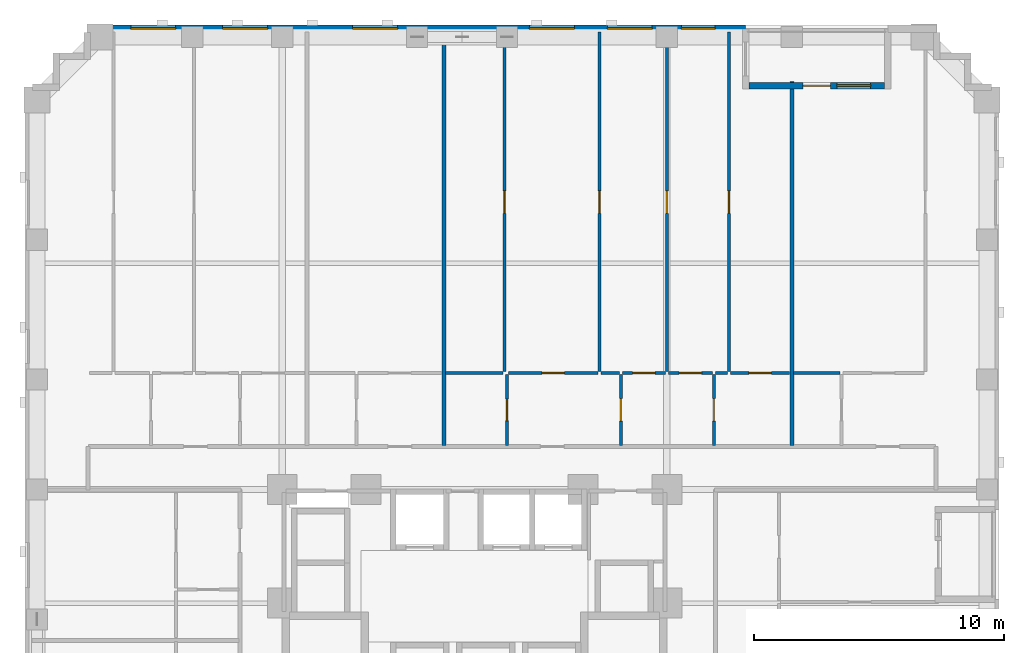
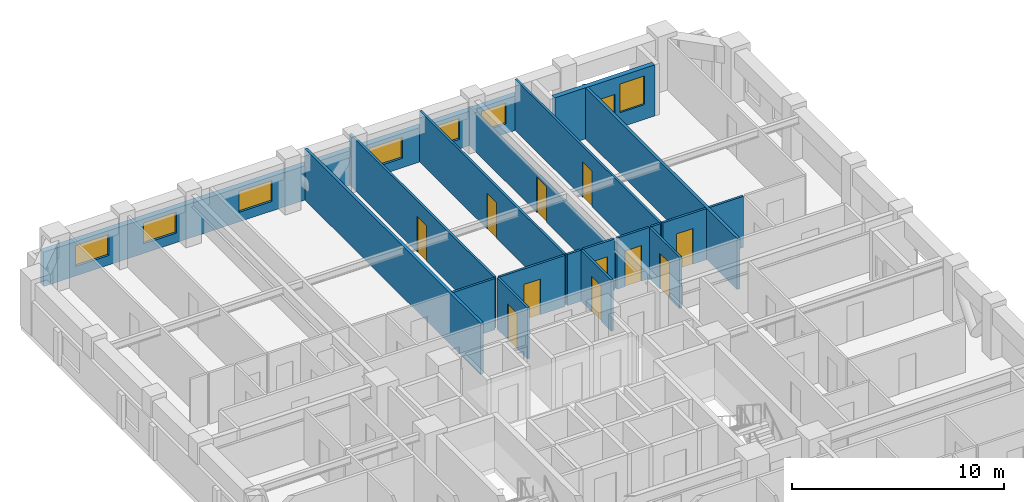
# One storey, part 8 of 14: 19 walls, 12 doors, 7 windows, 19 openings.
"""IFC4 building model written with IfcOpenShell, lengths in metres."""

from ifc_helpers import new_model, si_unit, derived_unit, direction, frame, frame_2d, origin, place, context, subcontext, project, spatial, rectangle, extrude, material, layer, layer_set, type_object, element, fill, save


model = new_model("IFC4")

# Units and contexts
model_context = context("Model", 3, precision=1e-05, world=origin(), true_north=direction((0.0, 1.0)))
body_context = subcontext(model_context, "Body", "Model", "MODEL_VIEW")
ifc_project = project(units=[si_unit("LENGTHUNIT", "METRE"), si_unit("AREAUNIT", "SQUARE_METRE"), si_unit("VOLUMEUNIT", "CUBIC_METRE"), si_unit("PLANEANGLEUNIT", "RADIAN"), si_unit("MASSUNIT", "GRAM", prefix="KILO"), derived_unit("THERMALTRANSMITTANCEUNIT", [(si_unit("MASSUNIT", "GRAM", prefix="KILO"), 1), (si_unit("TIMEUNIT", "SECOND"), -3), (si_unit("THERMODYNAMICTEMPERATUREUNIT", "KELVIN"), -1)])], contexts=[model_context])

# Site, building, storey
site_placement = place(None, origin())
site = spatial("IfcSite", under=ifc_project, at=site_placement, CompositionType="ELEMENT")
building_placement = place(site_placement, origin())
building = spatial("IfcBuilding", under=site, at=building_placement, Name="Korrvale Station Residences", CompositionType="ELEMENT")
storey_placement = place(building_placement, frame((0.0, 0.0, 64.199951171875)))
storey = spatial("IfcBuildingStorey", under=building, at=storey_placement, Name="L17", CompositionType="ELEMENT", Elevation=64.199951171875)

# Wall, openings, door, window
ifc_material_1 = material(Name="Precast concrete C45/55", Category="concrete")
ifc_layer_1 = layer(ifc_material_1, 0.260009765625, Name="Precast concrete C45/55")
ifc_layer_set_1 = layer_set([ifc_layer_1], Name="Precast concrete C45/55")
wall_type_1 = type_object("IfcWallType", Name="WAL-EXT-LOG260", PredefinedType="SOLIDWALL", material=ifc_layer_set_1)
wall_1_placement = place(storey_placement, frame((36.48388671875, 45.169921875, 0.0), z_axis=(0.0, 0.0, 1.0), x_axis=(1.0, 0.0, 0.0)))
wall_1 = element("IfcWall", 1, at=wall_1_placement, inside=storey, type_object=wall_type_1, Name="L17 Recessed Loggia Wall BAL-L17-N1-B", PredefinedType="SOLIDWALL", context=body_context, shape_type="SweptSolid", body=[
    extrude(rectangle(XDim=5.43212890625, YDim=0.260009765625, at=frame_2d((2.716064453125, 0.0))), origin(), (0.0, 0.0, 1.0), 2.93994140625),
])
opening_1_placement = place(wall_1_placement, frame((2.166015625, 0.0, 0.0)))
opening_1 = element("IfcOpeningElement", 2, at=opening_1_placement, cuts=wall_1, Name="Opening BD-01", PredefinedType="OPENING", context=body_context, shape_type="SweptSolid", body=[
    extrude(rectangle(XDim=1.10009765625, YDim=2.0, at=frame_2d((0.550048828125, 1.0))), frame((0.0, 0.14013671875, 0.0), z_axis=(0.0, -1.0, 0.0), x_axis=(1.0, 0.0, 0.0)), (0.0, 0.0, 1.0), 0.280029296875),
])
opening_2_placement = place(wall_1_placement, frame((3.52587890625, 0.0, 0.85009765625)))
opening_2 = element("IfcOpeningElement", 3, at=opening_2_placement, cuts=wall_1, Name="Opening W-06", PredefinedType="OPENING", context=body_context, shape_type="SweptSolid", body=[
    extrude(rectangle(XDim=1.35009765625, YDim=1.64990234375, at=frame_2d((0.675048828125, 0.824951171875))), frame((0.0, 0.14013671875, 0.0), z_axis=(0.0, -1.0, 0.0), x_axis=(1.0, 0.0, 0.0)), (0.0, 0.0, 1.0), 0.280029296875),
])
ifc_material_2 = material(Name="Exterior thermally broken aluminium glazed balcony door", Category="aluminium")
door_type_1 = type_object("IfcDoorType", Name="DR-EXT-BAL", OperationType="NOTDEFINED", PredefinedType="DOOR", material=ifc_material_2)
door_1_placement = place(opening_1_placement, origin())
door_1 = element("IfcDoor", 4, at=door_1_placement, inside=storey, type_object=door_type_1, Name="L17 Loggia Balcony Door BAL-L17-N1", OperationType="SINGLE_SWING_RIGHT", OverallHeight=2.0, OverallWidth=1.10009765625, PredefinedType="DOOR", context=body_context, shape_type="SweptSolid", body=[
    extrude(rectangle(XDim=1.10009765625, YDim=2.0, at=frame_2d((0.550048828125, 1.0))), frame((0.0, 0.02490234375, 0.0), z_axis=(0.0, -1.0, 0.0), x_axis=(1.0, 0.0, 0.0)), (0.0, 0.0, 1.0), 0.050048828125),
])
fill(opening_1, door_1)
ifc_material_3 = material(Name="Thermally broken aluminium frame with triple low-e glazing", Category="aluminium")
window_type_1 = type_object("IfcWindowType", Name="WIN-W06", PartitioningType="SINGLE_PANEL", PredefinedType="WINDOW", material=ifc_material_3)
window_1_placement = place(opening_2_placement, origin())
window_1 = element("IfcWindow", 5, at=window_1_placement, inside=storey, type_object=window_type_1, Name="L17 Punched Window 22", OverallHeight=1.64990234375, OverallWidth=1.35009765625, PartitioningType="SINGLE_PANEL", PredefinedType="WINDOW", context=body_context, shape_type="SweptSolid", body=[
    extrude(rectangle(XDim=1.35009765625, YDim=1.64990234375, at=frame_2d((0.675048828125, 0.824951171875))), frame((0.0, 0.030029296875, 0.0), z_axis=(0.0, -1.0, 0.0), x_axis=(1.0, 0.0, 0.0)), (0.0, 0.0, 1.0), 0.06005859375),
])
fill(opening_2, window_1)

# Wall, openings, windows
ifc_layer_2 = layer(ifc_material_1, 0.300048828125, Name="Precast concrete C45/55")
ifc_layer_set_2 = layer_set([ifc_layer_2], Name="Precast concrete C45/55")
wall_type_2 = type_object("IfcWallType", Name="WAL-EXT-PC300", PredefinedType="SOLIDWALL", material=ifc_layer_set_2)
wall_2_placement = place(storey_placement, frame((10.0, 47.449951171875, 0.0), z_axis=(0.0, 0.0, 1.0), x_axis=(1.0, 0.0, 0.0)))
wall_2 = element("IfcWall", 6, at=wall_2_placement, inside=storey, type_object=wall_type_2, Name="L17 North Exterior Precast Wall 1", PredefinedType="SOLIDWALL", context=body_context, shape_type="SweptSolid", body=[
    extrude(rectangle(XDim=26.35009765625, YDim=0.300048828125, at=frame_2d((13.175048828125, 0.0))), origin(), (0.0, 0.0, 1.0), 1.97509765625),
])
opening_3_placement = place(wall_2_placement, frame((1.735107421875, 0.0, 0.550048828125)))
opening_3 = element("IfcOpeningElement", 7, at=opening_3_placement, cuts=wall_2, Name="Opening W-09", PredefinedType="OPENING", context=body_context, shape_type="SweptSolid", body=[
    extrude(rectangle(XDim=1.800048828125, YDim=1.199951171875, at=frame_2d((0.89990234375, 0.60009765625))), frame((0.0, 0.16015625, 0.0), z_axis=(0.0, -1.0, 0.0), x_axis=(1.0, 0.0, 0.0)), (0.0, 0.0, 1.0), 0.320068359375),
])
opening_4_placement = place(wall_2_placement, frame((5.4150390625, 0.0, 0.550048828125)))
opening_4 = element("IfcOpeningElement", 8, at=opening_4_placement, cuts=wall_2, Name="Opening W-09", PredefinedType="OPENING", context=body_context, shape_type="SweptSolid", body=[
    extrude(rectangle(XDim=1.800048828125, YDim=1.199951171875, at=frame_2d((0.89990234375, 0.60009765625))), frame((0.0, 0.16015625, 0.0), z_axis=(0.0, -1.0, 0.0), x_axis=(1.0, 0.0, 0.0)), (0.0, 0.0, 1.0), 0.320068359375),
])
opening_5_placement = place(wall_2_placement, frame((10.617919921875, 0.0, 0.550048828125)))
opening_5 = element("IfcOpeningElement", 9, at=opening_5_placement, cuts=wall_2, Name="Opening W-09", PredefinedType="OPENING", context=body_context, shape_type="SweptSolid", body=[
    extrude(rectangle(XDim=1.800048828125, YDim=1.199951171875, at=frame_2d((0.89990234375, 0.60009765625))), frame((0.0, 0.16015625, 0.0), z_axis=(0.0, -1.0, 0.0), x_axis=(1.0, 0.0, 0.0)), (0.0, 0.0, 1.0), 0.320068359375),
])
opening_6_placement = place(wall_2_placement, frame((17.696044921875, 0.0, 0.550048828125)))
opening_6 = element("IfcOpeningElement", 10, at=opening_6_placement, cuts=wall_2, Name="Opening W-09", PredefinedType="OPENING", context=body_context, shape_type="SweptSolid", body=[
    extrude(rectangle(XDim=1.800048828125, YDim=1.199951171875, at=frame_2d((0.89990234375, 0.60009765625))), frame((0.0, 0.16015625, 0.0), z_axis=(0.0, -1.0, 0.0), x_axis=(1.0, 0.0, 0.0)), (0.0, 0.0, 1.0), 0.320068359375),
])
opening_7_placement = place(wall_2_placement, frame((20.81494140625, 0.0, 0.550048828125)))
opening_7 = element("IfcOpeningElement", 11, at=opening_7_placement, cuts=wall_2, Name="Opening W-09", PredefinedType="OPENING", context=body_context, shape_type="SweptSolid", body=[
    extrude(rectangle(XDim=1.800048828125, YDim=1.199951171875, at=frame_2d((0.89990234375, 0.60009765625))), frame((0.0, 0.16015625, 0.0), z_axis=(0.0, -1.0, 0.0), x_axis=(1.0, 0.0, 0.0)), (0.0, 0.0, 1.0), 0.320068359375),
])
opening_8_placement = place(wall_2_placement, frame((23.784912109375, 0.0, 0.550048828125)))
opening_8 = element("IfcOpeningElement", 12, at=opening_8_placement, cuts=wall_2, Name="Opening W-10", PredefinedType="OPENING", context=body_context, shape_type="SweptSolid", body=[
    extrude(rectangle(XDim=1.35009765625, YDim=1.199951171875, at=frame_2d((0.675048828125, 0.60009765625))), frame((0.0, 0.16015625, 0.0), z_axis=(0.0, -1.0, 0.0), x_axis=(1.0, 0.0, 0.0)), (0.0, 0.0, 1.0), 0.320068359375),
])
window_type_2 = type_object("IfcWindowType", Name="WIN-W09", PartitioningType="DOUBLE_PANEL_VERTICAL", PredefinedType="WINDOW", material=ifc_material_3)
window_2_placement = place(opening_3_placement, origin())
window_2 = element("IfcWindow", 13, at=window_2_placement, inside=storey, type_object=window_type_2, Name="L17 Punched Window 15", OverallHeight=1.199951171875, OverallWidth=1.800048828125, PartitioningType="DOUBLE_PANEL_VERTICAL", PredefinedType="WINDOW", context=body_context, shape_type="SweptSolid", body=[
    extrude(rectangle(XDim=1.800048828125, YDim=1.199951171875, at=frame_2d((0.89990234375, 0.60009765625))), frame((0.0, 0.030029296875, 0.0), z_axis=(0.0, -1.0, 0.0), x_axis=(1.0, 0.0, 0.0)), (0.0, 0.0, 1.0), 0.06005859375),
])
fill(opening_3, window_2)
window_3_placement = place(opening_4_placement, origin())
window_3 = element("IfcWindow", 14, at=window_3_placement, inside=storey, type_object=window_type_2, Name="L17 Punched Window 16", OverallHeight=1.199951171875, OverallWidth=1.800048828125, PartitioningType="DOUBLE_PANEL_VERTICAL", PredefinedType="WINDOW", context=body_context, shape_type="SweptSolid", body=[
    extrude(rectangle(XDim=1.800048828125, YDim=1.199951171875, at=frame_2d((0.89990234375, 0.60009765625))), frame((0.0, 0.030029296875, 0.0), z_axis=(0.0, -1.0, 0.0), x_axis=(1.0, 0.0, 0.0)), (0.0, 0.0, 1.0), 0.06005859375),
])
fill(opening_4, window_3)
window_4_placement = place(opening_5_placement, origin())
window_4 = element("IfcWindow", 15, at=window_4_placement, inside=storey, type_object=window_type_2, Name="L17 Punched Window 17", OverallHeight=1.199951171875, OverallWidth=1.800048828125, PartitioningType="DOUBLE_PANEL_VERTICAL", PredefinedType="WINDOW", context=body_context, shape_type="SweptSolid", body=[
    extrude(rectangle(XDim=1.800048828125, YDim=1.199951171875, at=frame_2d((0.89990234375, 0.60009765625))), frame((0.0, 0.030029296875, 0.0), z_axis=(0.0, -1.0, 0.0), x_axis=(1.0, 0.0, 0.0)), (0.0, 0.0, 1.0), 0.06005859375),
])
fill(opening_5, window_4)
window_5_placement = place(opening_6_placement, origin())
window_5 = element("IfcWindow", 16, at=window_5_placement, inside=storey, type_object=window_type_2, Name="L17 Punched Window 18", OverallHeight=1.199951171875, OverallWidth=1.800048828125, PartitioningType="DOUBLE_PANEL_VERTICAL", PredefinedType="WINDOW", context=body_context, shape_type="SweptSolid", body=[
    extrude(rectangle(XDim=1.800048828125, YDim=1.199951171875, at=frame_2d((0.89990234375, 0.60009765625))), frame((0.0, 0.030029296875, 0.0), z_axis=(0.0, -1.0, 0.0), x_axis=(1.0, 0.0, 0.0)), (0.0, 0.0, 1.0), 0.06005859375),
])
fill(opening_6, window_5)
window_6_placement = place(opening_7_placement, origin())
window_6 = element("IfcWindow", 17, at=window_6_placement, inside=storey, type_object=window_type_2, Name="L17 Punched Window 19", OverallHeight=1.199951171875, OverallWidth=1.800048828125, PartitioningType="DOUBLE_PANEL_VERTICAL", PredefinedType="WINDOW", context=body_context, shape_type="SweptSolid", body=[
    extrude(rectangle(XDim=1.800048828125, YDim=1.199951171875, at=frame_2d((0.89990234375, 0.60009765625))), frame((0.0, 0.030029296875, 0.0), z_axis=(0.0, -1.0, 0.0), x_axis=(1.0, 0.0, 0.0)), (0.0, 0.0, 1.0), 0.06005859375),
])
fill(opening_7, window_6)
window_type_3 = type_object("IfcWindowType", Name="WIN-W10", PartitioningType="SINGLE_PANEL", PredefinedType="WINDOW", material=ifc_material_3)
window_7_placement = place(opening_8_placement, origin())
window_7 = element("IfcWindow", 18, at=window_7_placement, inside=storey, type_object=window_type_3, Name="L17 Punched Window 20", OverallHeight=1.199951171875, OverallWidth=1.35009765625, PartitioningType="SINGLE_PANEL", PredefinedType="WINDOW", context=body_context, shape_type="SweptSolid", body=[
    extrude(rectangle(XDim=1.35009765625, YDim=1.199951171875, at=frame_2d((0.675048828125, 0.60009765625))), frame((0.0, 0.030029296875, 0.0), z_axis=(0.0, -1.0, 0.0), x_axis=(1.0, 0.0, 0.0)), (0.0, 0.0, 1.0), 0.06005859375),
])
fill(opening_8, window_7)

# Wall, opening, door
ifc_material_4 = material(Name="Acoustic steel-stud gypsum board partition", Category="steel")
ifc_layer_3 = layer(ifc_material_4, 0.1201171875, Name="Acoustic steel-stud gypsum board partition")
ifc_layer_set_3 = layer_set([ifc_layer_3], Name="Acoustic steel-stud gypsum board partition")
wall_type_3 = type_object("IfcWallType", Name="WAL-PART-125", PredefinedType="PARTITIONING", material=ifc_layer_set_3)
wall_3_placement = place(storey_placement, frame((26.799072265625, 30.760009765625, 0.0), z_axis=(0.0, 0.0, 1.0), x_axis=(0.0, 1.0, 0.0)))
wall_3 = element("IfcWall", 19, at=wall_3_placement, inside=storey, type_object=wall_type_3, Name="L17 Suite Partition U05-V01", PredefinedType="PARTITIONING", context=body_context, shape_type="SweptSolid", body=[
    extrude(rectangle(XDim=2.85009765625, YDim=0.1201171875, at=frame_2d((1.425048828125, 0.0))), origin(), (0.0, 0.0, 1.0), 2.93994140625),
])
opening_9_placement = place(wall_3_placement, frame((0.9951171875, 0.0, 0.0)))
opening_9 = element("IfcOpeningElement", 20, at=opening_9_placement, cuts=wall_3, Name="Opening DB-860", PredefinedType="OPENING", context=body_context, shape_type="SweptSolid", body=[
    extrude(rectangle(XDim=0.860107421875, YDim=2.050048828125, at=frame_2d((0.43017578125, 1.02490234375))), frame((0.0, 0.070068359375, 0.0), z_axis=(0.0, -1.0, 0.0), x_axis=(1.0, 0.0, 0.0)), (0.0, 0.0, 1.0), 0.14013671875),
])
ifc_material_5 = material(Name="Moisture-resistant solid-core bathroom door", Category="timber")
door_type_2 = type_object("IfcDoorType", Name="DR-BATH-860", OperationType="NOTDEFINED", PredefinedType="DOOR", material=ifc_material_5)
door_2_placement = place(opening_9_placement, origin())
door_2 = element("IfcDoor", 21, at=door_2_placement, inside=storey, type_object=door_type_2, Name="L17 Apartment 3BR L17-U05 Bathroom Door", OperationType="SINGLE_SWING_LEFT", OverallHeight=2.050048828125, OverallWidth=0.860107421875, PredefinedType="DOOR", context=body_context, shape_type="SweptSolid", body=[
    extrude(rectangle(XDim=0.860107421875, YDim=2.050048828125, at=frame_2d((0.43017578125, 1.02490234375))), frame((0.0, 0.02490234375, 0.0), z_axis=(0.0, -1.0, 0.0), x_axis=(1.0, 0.0, 0.0)), (0.0, 0.0, 1.0), 0.050048828125),
])
fill(opening_9, door_2)

# Wall
wall_4_placement = place(storey_placement, frame((24.339111328125, 33.669921875, 0.0), z_axis=(0.0, 0.0, 1.0), x_axis=(1.0, 0.0, 0.0)))
element("IfcWall", 22, at=wall_4_placement, inside=storey, type_object=wall_type_3, Name="L17 Suite Partition U05-H04", PredefinedType="PARTITIONING", context=body_context, shape_type="SweptSolid", body=[
    extrude(rectangle(XDim=2.2998046875, YDim=0.1201171875, at=frame_2d((1.14990234375, 0.0))), origin(), (0.0, 0.0, 1.0), 2.93994140625),
])

# Wall, opening, door
wall_5_placement = place(storey_placement, frame((31.35888671875, 30.760009765625, 0.0), z_axis=(0.0, 0.0, 1.0), x_axis=(0.0, 1.0, 0.0)))
wall_5 = element("IfcWall", 23, at=wall_5_placement, inside=storey, type_object=wall_type_3, Name="L17 Suite Partition U05-V12", PredefinedType="PARTITIONING", context=body_context, shape_type="SweptSolid", body=[
    extrude(rectangle(XDim=2.85009765625, YDim=0.1201171875, at=frame_2d((1.425048828125, 0.0))), origin(), (0.0, 0.0, 1.0), 2.93994140625),
])
opening_10_placement = place(wall_5_placement, frame((0.97509765625, 0.0, 0.0)))
opening_10 = element("IfcOpeningElement", 24, at=opening_10_placement, cuts=wall_5, Name="Opening DI-900", PredefinedType="OPENING", context=body_context, shape_type="SweptSolid", body=[
    extrude(rectangle(XDim=0.89990234375, YDim=2.050048828125, at=frame_2d((0.449951171875, 1.02490234375))), frame((0.0, 0.070068359375, 0.0), z_axis=(0.0, -1.0, 0.0), x_axis=(1.0, 0.0, 0.0)), (0.0, 0.0, 1.0), 0.14013671875),
])
ifc_material_6 = material(Name="Painted solid-core timber interior room door", Category="wood")
door_type_3 = type_object("IfcDoorType", Name="DR-INT-900", OperationType="NOTDEFINED", PredefinedType="DOOR", material=ifc_material_6)
door_3_placement = place(opening_10_placement, origin())
door_3 = element("IfcDoor", 25, at=door_3_placement, inside=storey, type_object=door_type_3, Name="L17 Apartment 3BR L17-U05 Kitchen Door", OperationType="SINGLE_SWING_RIGHT", OverallHeight=2.050048828125, OverallWidth=0.89990234375, PredefinedType="DOOR", context=body_context, shape_type="SweptSolid", body=[
    extrude(rectangle(XDim=0.89990234375, YDim=2.050048828125, at=frame_2d((0.449951171875, 1.02490234375))), frame((0.0, 0.02490234375, 0.0), z_axis=(0.0, -1.0, 0.0), x_axis=(1.0, 0.0, 0.0)), (0.0, 0.0, 1.0), 0.050048828125),
])
fill(opening_10, door_3)

wall_6_placement = place(storey_placement, frame((26.85888671875, 33.669921875, 0.0), z_axis=(0.0, 0.0, 1.0), x_axis=(1.0, 0.0, 0.0)))
wall_6 = element("IfcWall", 26, at=wall_6_placement, inside=storey, type_object=wall_type_3, Name="L17 Suite Partition U05-H15", PredefinedType="PARTITIONING", context=body_context, shape_type="SweptSolid", body=[
    extrude(rectangle(XDim=3.580078125, YDim=0.1201171875, at=frame_2d((1.7900390625, 0.0))), origin(), (0.0, 0.0, 1.0), 2.93994140625),
])
opening_11_placement = place(wall_6_placement, frame((1.340087890625, 0.0, 0.0)))
opening_11 = element("IfcOpeningElement", 27, at=opening_11_placement, cuts=wall_6, Name="Opening DI-900", PredefinedType="OPENING", context=body_context, shape_type="SweptSolid", body=[
    extrude(rectangle(XDim=0.89990234375, YDim=2.050048828125, at=frame_2d((0.449951171875, 1.02490234375))), frame((0.0, 0.070068359375, 0.0), z_axis=(0.0, -1.0, 0.0), x_axis=(1.0, 0.0, 0.0)), (0.0, 0.0, 1.0), 0.14013671875),
])
door_4_placement = place(opening_11_placement, origin())
door_4 = element("IfcDoor", 28, at=door_4_placement, inside=storey, type_object=door_type_3, Name="L17 Apartment 3BR L17-U05 Kitchen Door", OperationType="SINGLE_SWING_LEFT", OverallHeight=2.050048828125, OverallWidth=0.89990234375, PredefinedType="DOOR", context=body_context, shape_type="SweptSolid", body=[
    extrude(rectangle(XDim=0.89990234375, YDim=2.050048828125, at=frame_2d((0.449951171875, 1.02490234375))), frame((0.0, 0.02490234375, 0.0), z_axis=(0.0, -1.0, 0.0), x_axis=(1.0, 0.0, 0.0)), (0.0, 0.0, 1.0), 0.050048828125),
])
fill(opening_11, door_4)

# Wall
wall_7_placement = place(storey_placement, frame((30.55908203125, 33.669921875, 0.0), z_axis=(0.0, 0.0, 1.0), x_axis=(1.0, 0.0, 0.0)))
element("IfcWall", 29, at=wall_7_placement, inside=storey, type_object=wall_type_3, Name="L17 Suite Partition U05-H16", PredefinedType="PARTITIONING", context=body_context, shape_type="SweptSolid", body=[
    extrude(rectangle(XDim=0.739990234375, YDim=0.1201171875, at=frame_2d((0.3701171875, 0.0))), origin(), (0.0, 0.0, 1.0), 2.93994140625),
])

# Wall, opening, door
wall_8_placement = place(storey_placement, frame((35.0791015625, 30.760009765625, 0.0), z_axis=(0.0, 0.0, 1.0), x_axis=(0.0, 1.0, 0.0)))
wall_8 = element("IfcWall", 30, at=wall_8_placement, inside=storey, type_object=wall_type_3, Name="L17 Suite Partition U05-V23", PredefinedType="PARTITIONING", context=body_context, shape_type="SweptSolid", body=[
    extrude(rectangle(XDim=2.85009765625, YDim=0.1201171875, at=frame_2d((1.425048828125, 0.0))), origin(), (0.0, 0.0, 1.0), 2.93994140625),
])
opening_12_placement = place(wall_8_placement, frame((0.97509765625, 0.0, 0.0)))
opening_12 = element("IfcOpeningElement", 31, at=opening_12_placement, cuts=wall_8, Name="Opening DI-900", PredefinedType="OPENING", context=body_context, shape_type="SweptSolid", body=[
    extrude(rectangle(XDim=0.89990234375, YDim=2.050048828125, at=frame_2d((0.449951171875, 1.02490234375))), frame((0.0, 0.070068359375, 0.0), z_axis=(0.0, -1.0, 0.0), x_axis=(1.0, 0.0, 0.0)), (0.0, 0.0, 1.0), 0.14013671875),
])
door_5_placement = place(opening_12_placement, origin())
door_5 = element("IfcDoor", 32, at=door_5_placement, inside=storey, type_object=door_type_3, Name="L17 Apartment 3BR L17-U05 Utility and Laundry Room Door", OperationType="SINGLE_SWING_RIGHT", OverallHeight=2.050048828125, OverallWidth=0.89990234375, PredefinedType="DOOR", context=body_context, shape_type="SweptSolid", body=[
    extrude(rectangle(XDim=0.89990234375, YDim=2.050048828125, at=frame_2d((0.449951171875, 1.02490234375))), frame((0.0, 0.02490234375, 0.0), z_axis=(0.0, -1.0, 0.0), x_axis=(1.0, 0.0, 0.0)), (0.0, 0.0, 1.0), 0.050048828125),
])
fill(opening_12, door_5)

wall_9_placement = place(storey_placement, frame((31.4189453125, 33.669921875, 0.0), z_axis=(0.0, 0.0, 1.0), x_axis=(1.0, 0.0, 0.0)))
wall_9 = element("IfcWall", 33, at=wall_9_placement, inside=storey, type_object=wall_type_3, Name="L17 Suite Partition U05-H26", PredefinedType="PARTITIONING", context=body_context, shape_type="SweptSolid", body=[
    extrude(rectangle(XDim=1.720947265625, YDim=0.1201171875, at=frame_2d((0.8603515625, 0.0))), origin(), (0.0, 0.0, 1.0), 2.93994140625),
])
opening_13_placement = place(wall_9_placement, frame((0.410888671875, 0.0, 0.0)))
opening_13 = element("IfcOpeningElement", 34, at=opening_13_placement, cuts=wall_9, Name="Opening DI-900", PredefinedType="OPENING", context=body_context, shape_type="SweptSolid", body=[
    extrude(rectangle(XDim=0.89990234375, YDim=2.050048828125, at=frame_2d((0.449951171875, 1.02490234375))), frame((0.0, 0.070068359375, 0.0), z_axis=(0.0, -1.0, 0.0), x_axis=(1.0, 0.0, 0.0)), (0.0, 0.0, 1.0), 0.14013671875),
])
door_6_placement = place(opening_13_placement, origin())
door_6 = element("IfcDoor", 35, at=door_6_placement, inside=storey, type_object=door_type_3, Name="L17 Apartment 3BR L17-U05 Utility and Laundry Room Door", OperationType="SINGLE_SWING_LEFT", OverallHeight=2.050048828125, OverallWidth=0.89990234375, PredefinedType="DOOR", context=body_context, shape_type="SweptSolid", body=[
    extrude(rectangle(XDim=0.89990234375, YDim=2.050048828125, at=frame_2d((0.449951171875, 1.02490234375))), frame((0.0, 0.02490234375, 0.0), z_axis=(0.0, -1.0, 0.0), x_axis=(1.0, 0.0, 0.0)), (0.0, 0.0, 1.0), 0.050048828125),
])
fill(opening_13, door_6)

wall_10_placement = place(storey_placement, frame((33.260009765625, 33.669921875, 0.0), z_axis=(0.0, 0.0, 1.0), x_axis=(1.0, 0.0, 0.0)))
wall_10 = element("IfcWall", 36, at=wall_10_placement, inside=storey, type_object=wall_type_3, Name="L17 Suite Partition U05-H27", PredefinedType="PARTITIONING", context=body_context, shape_type="SweptSolid", body=[
    extrude(rectangle(XDim=1.759033203125, YDim=0.1201171875, at=frame_2d((0.87939453125, 0.0))), origin(), (0.0, 0.0, 1.0), 2.93994140625),
])
opening_14_placement = place(wall_10_placement, frame((0.428955078125, 0.0, 0.0)))
opening_14 = element("IfcOpeningElement", 37, at=opening_14_placement, cuts=wall_10, Name="Opening DI-900", PredefinedType="OPENING", context=body_context, shape_type="SweptSolid", body=[
    extrude(rectangle(XDim=0.89990234375, YDim=2.050048828125, at=frame_2d((0.449951171875, 1.02490234375))), frame((0.0, 0.070068359375, 0.0), z_axis=(0.0, -1.0, 0.0), x_axis=(1.0, 0.0, 0.0)), (0.0, 0.0, 1.0), 0.14013671875),
])
door_7_placement = place(opening_14_placement, origin())
door_7 = element("IfcDoor", 38, at=door_7_placement, inside=storey, type_object=door_type_3, Name="L17 Apartment 3BR L17-U05 Utility and Laundry Room Door", OperationType="SINGLE_SWING_RIGHT", OverallHeight=2.050048828125, OverallWidth=0.89990234375, PredefinedType="DOOR", context=body_context, shape_type="SweptSolid", body=[
    extrude(rectangle(XDim=0.89990234375, YDim=2.050048828125, at=frame_2d((0.449951171875, 1.02490234375))), frame((0.0, 0.02490234375, 0.0), z_axis=(0.0, -1.0, 0.0), x_axis=(1.0, 0.0, 0.0)), (0.0, 0.0, 1.0), 0.050048828125),
])
fill(opening_14, door_7)

# Wall
wall_11_placement = place(storey_placement, frame((35.138916015625, 33.669921875, 0.0), z_axis=(0.0, 0.0, 1.0), x_axis=(1.0, 0.0, 0.0)))
element("IfcWall", 39, at=wall_11_placement, inside=storey, type_object=wall_type_3, Name="L17 Suite Partition U05-H37", PredefinedType="PARTITIONING", context=body_context, shape_type="SweptSolid", body=[
    extrude(rectangle(XDim=0.490966796875, YDim=0.1201171875, at=frame_2d((0.24560546875, 0.0))), origin(), (0.0, 0.0, 1.0), 2.93994140625),
])

# Wall, opening, door
wall_12_placement = place(storey_placement, frame((35.75, 33.669921875, 0.0), z_axis=(0.0, 0.0, 1.0), x_axis=(1.0, 0.0, 0.0)))
wall_12 = element("IfcWall", 40, at=wall_12_placement, inside=storey, type_object=wall_type_3, Name="L17 Suite Partition U05-H38", PredefinedType="PARTITIONING", context=body_context, shape_type="SweptSolid", body=[
    extrude(rectangle(XDim=2.3701171875, YDim=0.1201171875, at=frame_2d((1.18505859375, 0.0))), origin(), (0.0, 0.0, 1.0), 2.93994140625),
])
opening_15_placement = place(wall_12_placement, frame((0.735107421875, 0.0, 0.0)))
opening_15 = element("IfcOpeningElement", 41, at=opening_15_placement, cuts=wall_12, Name="Opening DI-900", PredefinedType="OPENING", context=body_context, shape_type="SweptSolid", body=[
    extrude(rectangle(XDim=0.89990234375, YDim=2.050048828125, at=frame_2d((0.449951171875, 1.02490234375))), frame((0.0, 0.070068359375, 0.0), z_axis=(0.0, -1.0, 0.0), x_axis=(1.0, 0.0, 0.0)), (0.0, 0.0, 1.0), 0.14013671875),
])
door_8_placement = place(opening_15_placement, origin())
door_8 = element("IfcDoor", 42, at=door_8_placement, inside=storey, type_object=door_type_3, Name="L17 Apartment 3BR L17-U05 Storage Closet 2 Door", OperationType="SINGLE_SWING_LEFT", OverallHeight=2.050048828125, OverallWidth=0.89990234375, PredefinedType="DOOR", context=body_context, shape_type="SweptSolid", body=[
    extrude(rectangle(XDim=0.89990234375, YDim=2.050048828125, at=frame_2d((0.449951171875, 1.02490234375))), frame((0.0, 0.02490234375, 0.0), z_axis=(0.0, -1.0, 0.0), x_axis=(1.0, 0.0, 0.0)), (0.0, 0.0, 1.0), 0.050048828125),
])
fill(opening_15, door_8)

wall_13_placement = place(storey_placement, frame((26.698974609375, 33.72998046875, 0.0), z_axis=(0.0, 0.0, 1.0), x_axis=(0.0, 1.0, 0.0)))
wall_13 = element("IfcWall", 43, at=wall_13_placement, inside=storey, type_object=wall_type_3, Name="L17 Suite Partition U05-V45", PredefinedType="PARTITIONING", context=body_context, shape_type="SweptSolid", body=[
    extrude(rectangle(XDim=13.590087890625, YDim=0.1201171875, at=frame_2d((6.794921875, 0.0))), origin(), (0.0, 0.0, 1.0), 2.93994140625),
])
opening_16_placement = place(wall_13_placement, frame((6.330078125, 0.0, 0.0)))
opening_16 = element("IfcOpeningElement", 44, at=opening_16_placement, cuts=wall_13, Name="Opening DI-900", PredefinedType="OPENING", context=body_context, shape_type="SweptSolid", body=[
    extrude(rectangle(XDim=0.89990234375, YDim=2.050048828125, at=frame_2d((0.449951171875, 1.02490234375))), frame((0.0, 0.070068359375, 0.0), z_axis=(0.0, -1.0, 0.0), x_axis=(1.0, 0.0, 0.0)), (0.0, 0.0, 1.0), 0.14013671875),
])
door_9_placement = place(opening_16_placement, origin())
door_9 = element("IfcDoor", 45, at=door_9_placement, inside=storey, type_object=door_type_3, Name="L17 Apartment 3BR L17-U05 Wardrobe Storage Room Door", OperationType="SINGLE_SWING_RIGHT", OverallHeight=2.050048828125, OverallWidth=0.89990234375, PredefinedType="DOOR", context=body_context, shape_type="SweptSolid", body=[
    extrude(rectangle(XDim=0.89990234375, YDim=2.050048828125, at=frame_2d((0.449951171875, 1.02490234375))), frame((0.0, 0.02490234375, 0.0), z_axis=(0.0, -1.0, 0.0), x_axis=(1.0, 0.0, 0.0)), (0.0, 0.0, 1.0), 0.050048828125),
])
fill(opening_16, door_9)

wall_14_placement = place(storey_placement, frame((30.4990234375, 33.72998046875, 0.0), z_axis=(0.0, 0.0, 1.0), x_axis=(0.0, 1.0, 0.0)))
wall_14 = element("IfcWall", 46, at=wall_14_placement, inside=storey, type_object=wall_type_3, Name="L17 Suite Partition U05-V56", PredefinedType="PARTITIONING", context=body_context, shape_type="SweptSolid", body=[
    extrude(rectangle(XDim=13.590087890625, YDim=0.1201171875, at=frame_2d((6.794921875, 0.0))), origin(), (0.0, 0.0, 1.0), 2.93994140625),
])
opening_17_placement = place(wall_14_placement, frame((6.330078125, 0.0, 0.0)))
opening_17 = element("IfcOpeningElement", 47, at=opening_17_placement, cuts=wall_14, Name="Opening DI-900", PredefinedType="OPENING", context=body_context, shape_type="SweptSolid", body=[
    extrude(rectangle(XDim=0.89990234375, YDim=2.050048828125, at=frame_2d((0.449951171875, 1.02490234375))), frame((0.0, 0.070068359375, 0.0), z_axis=(0.0, -1.0, 0.0), x_axis=(1.0, 0.0, 0.0)), (0.0, 0.0, 1.0), 0.14013671875),
])
door_10_placement = place(opening_17_placement, origin())
door_10 = element("IfcDoor", 48, at=door_10_placement, inside=storey, type_object=door_type_3, Name="L17 Apartment 3BR L17-U05 Living and Dining Room Door", OperationType="SINGLE_SWING_LEFT", OverallHeight=2.050048828125, OverallWidth=0.89990234375, PredefinedType="DOOR", context=body_context, shape_type="SweptSolid", body=[
    extrude(rectangle(XDim=0.89990234375, YDim=2.050048828125, at=frame_2d((0.449951171875, 1.02490234375))), frame((0.0, 0.02490234375, 0.0), z_axis=(0.0, -1.0, 0.0), x_axis=(1.0, 0.0, 0.0)), (0.0, 0.0, 1.0), 0.050048828125),
])
fill(opening_17, door_10)

wall_15_placement = place(storey_placement, frame((33.199951171875, 33.72998046875, 0.0), z_axis=(0.0, 0.0, 1.0), x_axis=(0.0, 1.0, 0.0)))
wall_15 = element("IfcWall", 49, at=wall_15_placement, inside=storey, type_object=wall_type_3, Name="L17 Suite Partition U05-V67", PredefinedType="PARTITIONING", context=body_context, shape_type="SweptSolid", body=[
    extrude(rectangle(XDim=13.590087890625, YDim=0.1201171875, at=frame_2d((6.794921875, 0.0))), origin(), (0.0, 0.0, 1.0), 2.23193359375),
])
opening_18_placement = place(wall_15_placement, frame((6.330078125, 0.0, 0.0)))
opening_18 = element("IfcOpeningElement", 50, at=opening_18_placement, cuts=wall_15, Name="Opening DI-900", PredefinedType="OPENING", context=body_context, shape_type="SweptSolid", body=[
    extrude(rectangle(XDim=0.89990234375, YDim=2.050048828125, at=frame_2d((0.449951171875, 1.02490234375))), frame((0.0, 0.070068359375, 0.0), z_axis=(0.0, -1.0, 0.0), x_axis=(1.0, 0.0, 0.0)), (0.0, 0.0, 1.0), 0.14013671875),
])
door_11_placement = place(opening_18_placement, origin())
door_11 = element("IfcDoor", 51, at=door_11_placement, inside=storey, type_object=door_type_3, Name="L17 Apartment 3BR L17-U05 Bedroom 1 Door", OperationType="SINGLE_SWING_RIGHT", OverallHeight=2.050048828125, OverallWidth=0.89990234375, PredefinedType="DOOR", context=body_context, shape_type="SweptSolid", body=[
    extrude(rectangle(XDim=0.89990234375, YDim=2.050048828125, at=frame_2d((0.449951171875, 1.02490234375))), frame((0.0, 0.02490234375, 0.0), z_axis=(0.0, -1.0, 0.0), x_axis=(1.0, 0.0, 0.0)), (0.0, 0.0, 1.0), 0.050048828125),
])
fill(opening_18, door_11)

wall_16_placement = place(storey_placement, frame((35.68994140625, 33.72998046875, 0.0), z_axis=(0.0, 0.0, 1.0), x_axis=(0.0, 1.0, 0.0)))
wall_16 = element("IfcWall", 52, at=wall_16_placement, inside=storey, type_object=wall_type_3, Name="L17 Suite Partition U05-V78", PredefinedType="PARTITIONING", context=body_context, shape_type="SweptSolid", body=[
    extrude(rectangle(XDim=13.590087890625, YDim=0.1201171875, at=frame_2d((6.794921875, 0.0))), origin(), (0.0, 0.0, 1.0), 2.93994140625),
])
opening_19_placement = place(wall_16_placement, frame((6.330078125, 0.0, 0.0)))
opening_19 = element("IfcOpeningElement", 53, at=opening_19_placement, cuts=wall_16, Name="Opening DI-900", PredefinedType="OPENING", context=body_context, shape_type="SweptSolid", body=[
    extrude(rectangle(XDim=0.89990234375, YDim=2.050048828125, at=frame_2d((0.449951171875, 1.02490234375))), frame((0.0, 0.070068359375, 0.0), z_axis=(0.0, -1.0, 0.0), x_axis=(1.0, 0.0, 0.0)), (0.0, 0.0, 1.0), 0.14013671875),
])
door_12_placement = place(opening_19_placement, origin())
door_12 = element("IfcDoor", 54, at=door_12_placement, inside=storey, type_object=door_type_3, Name="L17 Apartment 3BR L17-U05 Bedroom 2 Door", OperationType="SINGLE_SWING_LEFT", OverallHeight=2.050048828125, OverallWidth=0.89990234375, PredefinedType="DOOR", context=body_context, shape_type="SweptSolid", body=[
    extrude(rectangle(XDim=0.89990234375, YDim=2.050048828125, at=frame_2d((0.449951171875, 1.02490234375))), frame((0.0, 0.02490234375, 0.0), z_axis=(0.0, -1.0, 0.0), x_axis=(1.0, 0.0, 0.0)), (0.0, 0.0, 1.0), 0.050048828125),
])
fill(opening_19, door_12)

# Walls
wall_17_placement = place(storey_placement, frame((38.280029296875, 33.669921875, 0.0), z_axis=(0.0, 0.0, 1.0), x_axis=(1.0, 0.0, 0.0)))
element("IfcWall", 55, at=wall_17_placement, inside=storey, type_object=wall_type_3, Name="L17 Suite Partition U06-H02", PredefinedType="PARTITIONING", context=body_context, shape_type="SweptSolid", body=[
    extrude(rectangle(XDim=1.849853515625, YDim=0.1201171875, at=frame_2d((0.9248046875, 0.0))), origin(), (0.0, 0.0, 1.0), 2.93994140625),
])
ifc_material_7 = material(Name="Fire-rated twin-stud gypsum and mineral wool shaftwall assembly", Category="gypsum")
ifc_layer_4 = layer(ifc_material_7, 0.159912109375, Name="Fire-rated twin-stud gypsum and mineral wool shaftwall assembly")
ifc_layer_set_4 = layer_set([ifc_layer_4], Name="Fire-rated twin-stud gypsum and mineral wool shaftwall assembly")
wall_type_4 = type_object("IfcWallType", Name="WAL-PART-200", PredefinedType="PARTITIONING", material=ifc_layer_set_4)
wall_18_placement = place(storey_placement, frame((24.279052734375, 30.760009765625, 0.0), z_axis=(0.0, 0.0, 1.0), x_axis=(0.0, 1.0, 0.0)))
element("IfcWall", 56, at=wall_18_placement, inside=storey, type_object=wall_type_4, Name="L17 Demising Wall U05-W", PredefinedType="PARTITIONING", context=body_context, shape_type="SweptSolid", body=[
    extrude(rectangle(XDim=16.56005859375, YDim=0.159912109375, at=frame_2d((8.280029296875, 0.0))), origin(), (0.0, 0.0, 1.0), 2.93994140625),
])
wall_19_placement = place(storey_placement, frame((38.219970703125, 30.760009765625, 0.0), z_axis=(0.0, 0.0, 1.0), x_axis=(0.0, 1.0, 0.0)))
element("IfcWall", 57, at=wall_19_placement, inside=storey, type_object=wall_type_4, Name="L17 Demising Wall U06-W", PredefinedType="PARTITIONING", context=body_context, shape_type="SweptSolid", body=[
    extrude(rectangle(XDim=14.580078125, YDim=0.159912109375, at=frame_2d((7.2900390625, 0.0))), origin(), (0.0, 0.0, 1.0), 2.93994140625),
])

save(model, "model.ifc")
